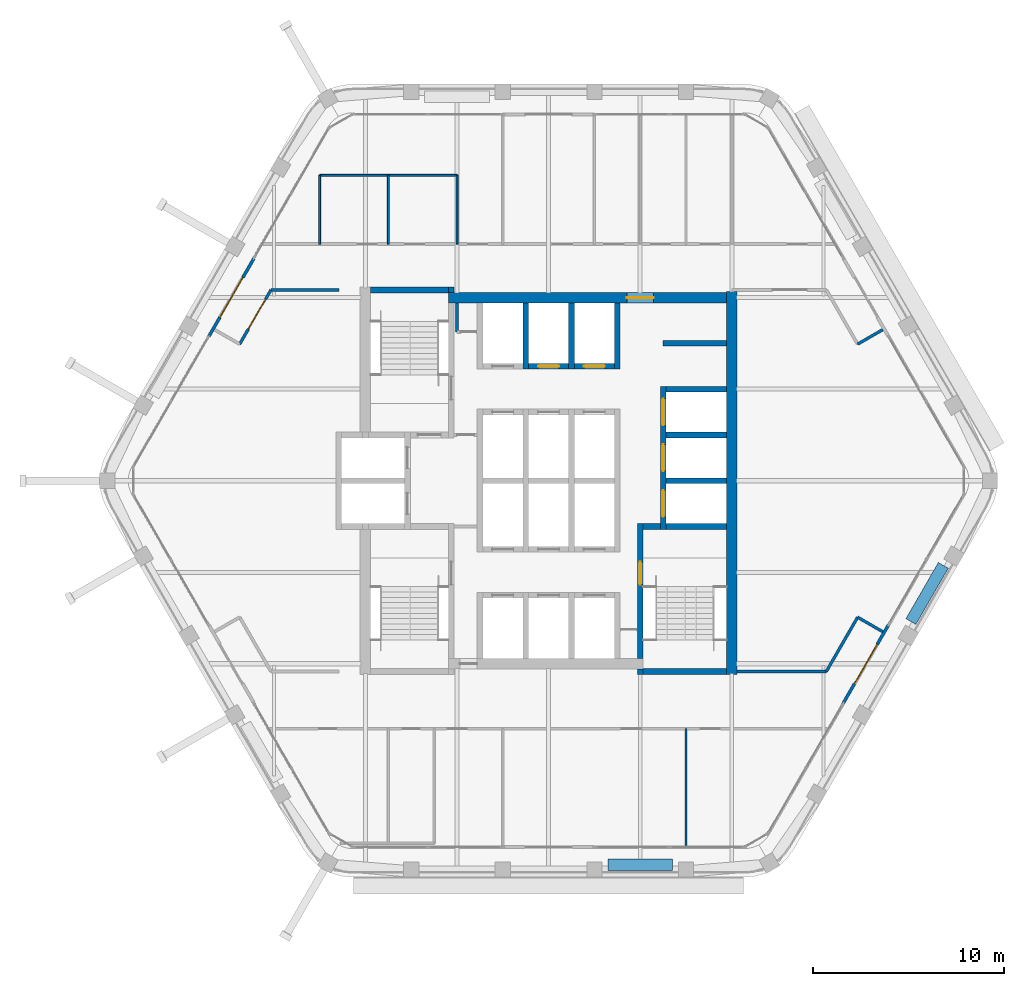
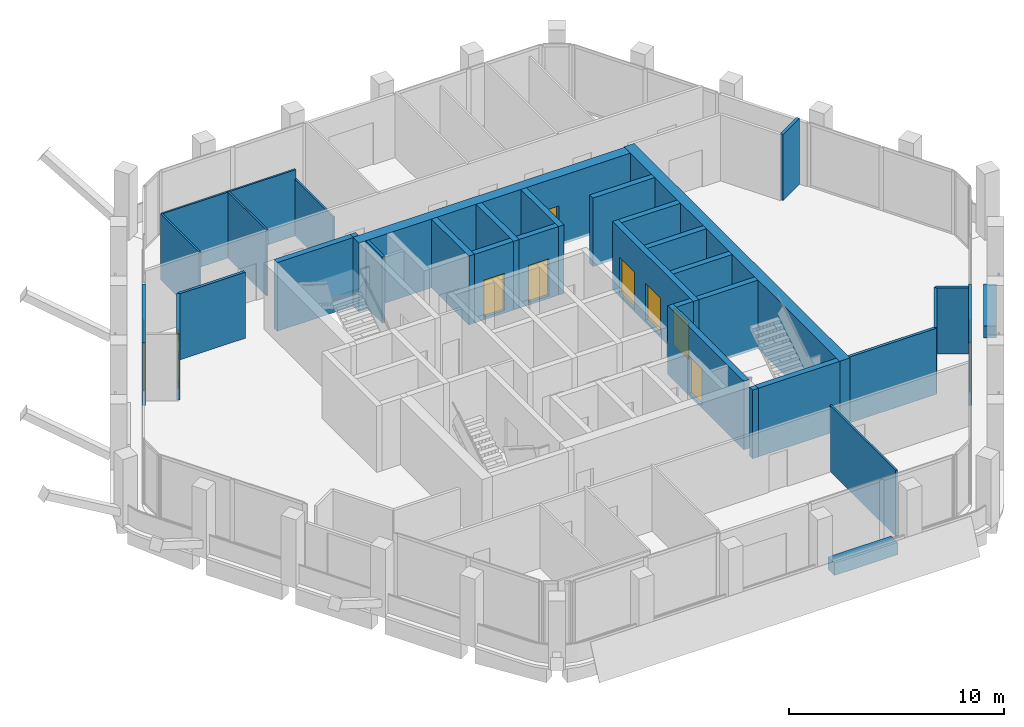
# One storey, part 9 of 14: 35 walls, 10 doors, 10 openings.
"""IFC4 building model written with IfcOpenShell, lengths in metres."""

from ifc_helpers import new_model, si_unit, direction, frame, frame_2d, origin, place, context, subcontext, project, spatial, rectangle, extrude, material, layer, layer_set, type_object, element, fill, save


model = new_model("IFC4")

# Units and contexts
model_context = context("Model", 3, precision=1e-05, world=origin(), true_north=direction((0.0, 1.0)))
body_context = subcontext(model_context, "Body", "Model", "MODEL_VIEW")
ifc_project = project(units=[si_unit("LENGTHUNIT", "METRE"), si_unit("AREAUNIT", "SQUARE_METRE"), si_unit("VOLUMEUNIT", "CUBIC_METRE"), si_unit("PLANEANGLEUNIT", "RADIAN"), si_unit("MASSUNIT", "GRAM", prefix="KILO")], contexts=[model_context])

# Site, building, storey
site_placement = place(None, origin())
site = spatial("IfcSite", under=ifc_project, at=site_placement, CompositionType="ELEMENT")
building_placement = place(site_placement, origin())
building = spatial("IfcBuilding", under=site, at=building_placement, Name="Kolab Exchange Tower", CompositionType="ELEMENT")
storey_placement = place(building_placement, frame((0.0, 0.0, 234.5)))
storey = spatial("IfcBuildingStorey", under=building, at=storey_placement, Name="L51", CompositionType="ELEMENT", Elevation=234.5)

# Wall, opening, door
ifc_material_1 = material(Name="Concrete C50/60", Category="concrete")
ifc_layer_1 = layer(ifc_material_1, 0.550048828125)
ifc_layer_set_1 = layer_set([ifc_layer_1], Name="Concrete C50/60")
wall_type_1 = type_object("IfcWallType", Name="CORE WALL 550 C50/60", PredefinedType="SHEAR", material=ifc_layer_set_1)
wall_1_placement = place(storey_placement, frame((-5.25, 9.60009765625, -0.14990234375), z_axis=(0.0, 0.0, 1.0), x_axis=(1.0, 0.0, 0.0)))
wall_1 = element("IfcWall", 1, at=wall_1_placement, inside=storey, type_object=wall_type_1, Name="wall/L51/core/031", PredefinedType="SHEAR", context=body_context, shape_type="SweptSolid", body=[
    extrude(rectangle(XDim=14.574951171875, YDim=0.550048828125, at=frame_2d((7.28759765625, 0.0))), origin(), (0.0, 0.0, 1.0), 3.89990234375),
])
opening_1_placement = place(wall_1_placement, frame((9.35009765625, 0.0, 0.14990234375)))
opening_1 = element("IfcOpeningElement", 2, at=opening_1_placement, cuts=wall_1, Name="Opening D5-011", PredefinedType="OPENING", context=body_context, shape_type="SweptSolid", body=[
    extrude(rectangle(XDim=1.39990234375, YDim=2.10009765625, at=frame_2d((0.699951171875, 1.050048828125))), frame((0.0, 0.28515625, 0.0), z_axis=(0.0, -1.0, 0.0), x_axis=(1.0, 0.0, 0.0)), (0.0, 0.0, 1.0), 0.570068359375),
])
ifc_material_2 = material(Name="Steel S235", Category="steel")
door_type_1 = type_object("IfcDoorType", Name="CORE DOOR 1400 EI 120", OperationType="DOUBLE_DOOR_SINGLE_SWING", PredefinedType="DOOR", material=ifc_material_2)
door_1_placement = place(opening_1_placement, frame((1.39990234375, 0.0, 0.0), z_axis=(0.0, 0.0, 1.0), x_axis=(-1.0, 0.0, 0.0)))
door_1 = element("IfcDoor", 3, at=door_1_placement, inside=storey, type_object=door_type_1, Name="Core lobby door", OperationType="SINGLE_SWING_LEFT", OverallHeight=2.10009765625, OverallWidth=1.39990234375, PredefinedType="DOOR", context=body_context, shape_type="SweptSolid", body=[
    extrude(rectangle(XDim=1.39990234375, YDim=2.10009765625, at=frame_2d((0.699951171875, 1.050048828125))), frame((0.0, 0.02490234375, 0.0), z_axis=(0.0, -1.0, 0.0), x_axis=(1.0, 0.0, 0.0)), (0.0, 0.0, 1.0), 0.050048828125),
])
fill(opening_1, door_1)

# Wall
wall_2_placement = place(storey_placement, frame((9.60009765625, -10.14990234375, -0.14990234375), z_axis=(0.0, 0.0, 1.0), x_axis=(0.0, 1.0, 0.0)))
element("IfcWall", 4, at=wall_2_placement, inside=storey, type_object=wall_type_1, Name="wall/L51/core/058", PredefinedType="SHEAR", context=body_context, shape_type="SweptSolid", body=[
    extrude(rectangle(XDim=20.074951171875, YDim=0.550048828125, at=frame_2d((10.03759765625, 0.0))), origin(), (0.0, 0.0, 1.0), 3.89990234375),
])

# Wall, opening, door
ifc_material_3 = material(Name="Aluminium EN AW-6063 T6", Category="aluminium")
ifc_layer_2 = layer(ifc_material_3, 0.159912109375)
ifc_layer_set_2 = layer_set([ifc_layer_2], Name="Aluminium EN AW-6063 T6")
wall_type_2 = type_object("IfcWallType", Name="DOOR SURROUND WALL 160 ALUMINIUM FRAMED", PredefinedType="PARTITIONING", material=ifc_layer_set_2)
wall_3_placement = place(storey_placement, frame((17.816650390625, -7.5498046875, 0.0), z_axis=(0.0, 0.0, 1.0), x_axis=(-0.499978080042, -0.866038058908, 0.0)))
wall_3 = element("IfcWall", 5, at=wall_3_placement, inside=storey, type_object=wall_type_2, Name="Door surround wall", PredefinedType="PARTITIONING", context=body_context, shape_type="SweptSolid", body=[
    extrude(rectangle(XDim=4.739990234375, YDim=0.159912109375, at=frame_2d((2.3701171875, 0.0))), origin(), (0.0, 0.0, 1.0), 3.60009765625),
])
opening_2_placement = place(wall_3_placement, frame((1.169921875, 0.0, 0.0)))
opening_2 = element("IfcOpeningElement", 6, at=opening_2_placement, cuts=wall_3, Name="Opening GD1-100", PredefinedType="OPENING", context=body_context, shape_type="SweptSolid", body=[
    extrude(rectangle(XDim=2.39990234375, YDim=2.39990234375, at=frame_2d((1.199951171875, 1.199951171875))), frame((0.0, 0.08984375, 0.0), z_axis=(0.0, -1.0, 0.0), x_axis=(1.0, 0.0, 0.0)), (0.0, 0.0, 1.0), 0.179931640625),
])
door_type_2 = type_object("IfcDoorType", Name="LOGGIA SLIDING GLASS DOOR 2400 X 2400", OperationType="DOUBLE_DOOR_SINGLE_SWING", PredefinedType="DOOR", material=ifc_material_3)
door_2_placement = place(opening_2_placement, origin())
door_2 = element("IfcDoor", 7, at=door_2_placement, inside=storey, type_object=door_type_2, Name="Loggia door", OperationType="DOUBLE_DOOR_SLIDING", OverallHeight=2.39990234375, OverallWidth=2.39990234375, PredefinedType="DOOR", context=body_context, shape_type="SweptSolid", body=[
    extrude(rectangle(XDim=2.39990234375, YDim=2.39990234375, at=frame_2d((1.199951171875, 1.199951171875))), frame((0.0, 0.02490234375, 0.0), z_axis=(0.0, -1.0, 0.0), x_axis=(1.0, 0.0, 0.0)), (0.0, 0.0, 1.0), 0.050048828125),
])
fill(opening_2, door_2)

wall_4_placement = place(storey_placement, frame((-17.816650390625, 7.5498046875, 0.0), z_axis=(0.0, 0.0, 1.0), x_axis=(0.499978080042, 0.866038058908, 0.0)))
wall_4 = element("IfcWall", 8, at=wall_4_placement, inside=storey, type_object=wall_type_2, Name="Door surround wall", PredefinedType="PARTITIONING", context=body_context, shape_type="SweptSolid", body=[
    extrude(rectangle(XDim=4.739990234375, YDim=0.159912109375, at=frame_2d((2.3701171875, 0.0))), origin(), (0.0, 0.0, 1.0), 3.60009765625),
])
opening_3_placement = place(wall_4_placement, frame((1.169921875, 0.0, 0.0)))
opening_3 = element("IfcOpeningElement", 9, at=opening_3_placement, cuts=wall_4, Name="Opening GD1-103", PredefinedType="OPENING", context=body_context, shape_type="SweptSolid", body=[
    extrude(rectangle(XDim=2.39990234375, YDim=2.39990234375, at=frame_2d((1.199951171875, 1.199951171875))), frame((0.0, 0.08984375, 0.0), z_axis=(0.0, -1.0, 0.0), x_axis=(1.0, 0.0, 0.0)), (0.0, 0.0, 1.0), 0.179931640625),
])
door_3_placement = place(opening_3_placement, origin())
door_3 = element("IfcDoor", 10, at=door_3_placement, inside=storey, type_object=door_type_2, Name="Loggia door", OperationType="DOUBLE_DOOR_SLIDING", OverallHeight=2.39990234375, OverallWidth=2.39990234375, PredefinedType="DOOR", context=body_context, shape_type="SweptSolid", body=[
    extrude(rectangle(XDim=2.39990234375, YDim=2.39990234375, at=frame_2d((1.199951171875, 1.199951171875))), frame((0.0, 0.02490234375, 0.0), z_axis=(0.0, -1.0, 0.0), x_axis=(1.0, 0.0, 0.0)), (0.0, 0.0, 1.0), 0.050048828125),
])
fill(opening_3, door_3)

# Walls
ifc_layer_3 = layer(ifc_material_1, 0.300048828125)
ifc_layer_set_3 = layer_set([ifc_layer_3], Name="Concrete C50/60")
wall_type_3 = type_object("IfcWallType", Name="LIFT SHAFT WALL 300 C50/60", PredefinedType="STANDARD", material=ifc_layer_set_3)
for number, where, z_axis, x_axis, name in (
    (11, (6.14990234375, 0.0, -0.14990234375), (0.0, 0.0, 1.0), (1.0, 0.0, 0.0), "wall/L51/core/018"),
    (12, (6.14990234375, 2.39990234375, -0.14990234375), (0.0, 0.0, 1.0), (1.0, 0.0, 0.0), "wall/L51/core/022"),
    (13, (6.14990234375, 4.800048828125, -0.14990234375), (0.0, 0.0, 1.0), (1.0, 0.0, 0.0), "wall/L51/core/026"),
):
    element("IfcWall", number, at=place(storey_placement, frame(where, z_axis=z_axis, x_axis=x_axis)), inside=storey, type_object=wall_type_3, Name=name, PredefinedType="STANDARD", context=body_context, shape_type="SweptSolid", body=[
        extrude(rectangle(XDim=3.175048828125, YDim=0.300048828125, at=frame_2d((1.58740234375, 0.0))), origin(), (0.0, 0.0, 1.0), 3.89990234375),
    ])

# Wall, opening, door
wall_5_placement = place(storey_placement, frame((-1.050048828125, 6.0, -0.14990234375), z_axis=(0.0, 0.0, 1.0), x_axis=(1.0, 0.0, 0.0)))
wall_5 = element("IfcWall", 14, at=wall_5_placement, inside=storey, type_object=wall_type_3, Name="wall/L51/core/028", PredefinedType="STANDARD", context=body_context, shape_type="SweptSolid", body=[
    extrude(rectangle(XDim=2.10009765625, YDim=0.300048828125, at=frame_2d((1.050048828125, 0.0))), origin(), (0.0, 0.0, 1.0), 3.89990234375),
])
opening_4_placement = place(wall_5_placement, frame((0.5, 0.0, 0.14990234375)))
opening_4 = element("IfcOpeningElement", 15, at=opening_4_placement, cuts=wall_5, Name="Opening LD1-113", PredefinedType="OPENING", context=body_context, shape_type="SweptSolid", body=[
    extrude(rectangle(XDim=1.10009765625, YDim=2.10009765625, at=frame_2d((0.550048828125, 1.050048828125))), frame((0.0, 0.16015625, 0.0), z_axis=(0.0, -1.0, 0.0), x_axis=(1.0, 0.0, 0.0)), (0.0, 0.0, 1.0), 0.320068359375),
])
ifc_material_4 = material(Name="Stainless steel 316", Category="steel")
door_type_3 = type_object("IfcDoorType", Name="LANDING DOOR 1100 PASSENGER", OperationType="DOUBLE_DOOR_SLIDING", PredefinedType="DOOR", material=ifc_material_4)
door_4_placement = place(opening_4_placement, origin())
door_4 = element("IfcDoor", 16, at=door_4_placement, inside=storey, type_object=door_type_3, Name="Landing door HR2", OperationType="DOUBLE_DOOR_SLIDING", OverallHeight=2.10009765625, OverallWidth=1.10009765625, PredefinedType="DOOR", context=body_context, shape_type="SweptSolid", body=[
    extrude(rectangle(XDim=1.10009765625, YDim=2.10009765625, at=frame_2d((0.550048828125, 1.050048828125))), frame((0.0, 0.02490234375, 0.0), z_axis=(0.0, -1.0, 0.0), x_axis=(1.0, 0.0, 0.0)), (0.0, 0.0, 1.0), 0.050048828125),
])
fill(opening_4, door_4)

wall_6_placement = place(storey_placement, frame((1.35009765625, 6.0, -0.14990234375), z_axis=(0.0, 0.0, 1.0), x_axis=(1.0, 0.0, 0.0)))
wall_6 = element("IfcWall", 17, at=wall_6_placement, inside=storey, type_object=wall_type_3, Name="wall/L51/core/029", PredefinedType="STANDARD", context=body_context, shape_type="SweptSolid", body=[
    extrude(rectangle(XDim=2.099853515625, YDim=0.300048828125, at=frame_2d((1.0498046875, 0.0))), origin(), (0.0, 0.0, 1.0), 3.89990234375),
])
opening_5_placement = place(wall_6_placement, frame((0.5, 0.0, 0.14990234375)))
opening_5 = element("IfcOpeningElement", 18, at=opening_5_placement, cuts=wall_6, Name="Opening LD1-114", PredefinedType="OPENING", context=body_context, shape_type="SweptSolid", body=[
    extrude(rectangle(XDim=1.10009765625, YDim=2.10009765625, at=frame_2d((0.550048828125, 1.050048828125))), frame((0.0, 0.16015625, 0.0), z_axis=(0.0, -1.0, 0.0), x_axis=(1.0, 0.0, 0.0)), (0.0, 0.0, 1.0), 0.320068359375),
])
door_5_placement = place(opening_5_placement, origin())
door_5 = element("IfcDoor", 19, at=door_5_placement, inside=storey, type_object=door_type_3, Name="Landing door HR3", OperationType="DOUBLE_DOOR_SLIDING", OverallHeight=2.10009765625, OverallWidth=1.10009765625, PredefinedType="DOOR", context=body_context, shape_type="SweptSolid", body=[
    extrude(rectangle(XDim=1.10009765625, YDim=2.10009765625, at=frame_2d((0.550048828125, 1.050048828125))), frame((0.0, 0.02490234375, 0.0), z_axis=(0.0, -1.0, 0.0), x_axis=(1.0, 0.0, 0.0)), (0.0, 0.0, 1.0), 0.050048828125),
])
fill(opening_5, door_5)

# Walls
wall_7_placement = place(storey_placement, frame((6.0, 7.199951171875, -0.14990234375), z_axis=(0.0, 0.0, 1.0), x_axis=(1.0, 0.0, 0.0)))
element("IfcWall", 20, at=wall_7_placement, inside=storey, type_object=wall_type_3, Name="wall/L51/core/030", PredefinedType="STANDARD", context=body_context, shape_type="SweptSolid", body=[
    extrude(rectangle(XDim=3.324951171875, YDim=0.300048828125, at=frame_2d((1.66259765625, 0.0))), origin(), (0.0, 0.0, 1.0), 3.89990234375),
])
for number, where, z_axis, x_axis, name in (
    (21, (-1.199951171875, 5.85009765625, -0.14990234375), (0.0, 0.0, 1.0), (0.0, 1.0, 0.0), "wall/L51/core/048"),
    (22, (1.199951171875, 5.85009765625, -0.14990234375), (0.0, 0.0, 1.0), (0.0, 1.0, 0.0), "wall/L51/core/051"),
    (23, (3.60009765625, 5.85009765625, -0.14990234375), (0.0, 0.0, 1.0), (0.0, 1.0, 0.0), "wall/L51/core/054"),
):
    element("IfcWall", number, at=place(storey_placement, frame(where, z_axis=z_axis, x_axis=x_axis)), inside=storey, type_object=wall_type_3, Name=name, PredefinedType="STANDARD", context=body_context, shape_type="SweptSolid", body=[
        extrude(rectangle(XDim=3.474853515625, YDim=0.300048828125, at=frame_2d((1.7373046875, 0.0))), origin(), (0.0, 0.0, 1.0), 3.89990234375),
    ])

# Wall, openings, doors
wall_8_placement = place(storey_placement, frame((6.0, -2.550048828125, -0.14990234375), z_axis=(0.0, 0.0, 1.0), x_axis=(0.0, 1.0, 0.0)))
wall_8 = element("IfcWall", 24, at=wall_8_placement, inside=storey, type_object=wall_type_3, Name="wall/L51/core/057", PredefinedType="STANDARD", context=body_context, shape_type="SweptSolid", body=[
    extrude(rectangle(XDim=7.5, YDim=0.300048828125, at=frame_2d((3.75, 0.0))), origin(), (0.0, 0.0, 1.0), 3.89990234375),
])
opening_6_placement = place(wall_8_placement, frame((0.64990234375, 0.0, 0.14990234375)))
opening_6 = element("IfcOpeningElement", 25, at=opening_6_placement, cuts=wall_8, Name="Opening LD3-037", PredefinedType="OPENING", context=body_context, shape_type="SweptSolid", body=[
    extrude(rectangle(XDim=1.39990234375, YDim=2.10009765625, at=frame_2d((0.699951171875, 1.050048828125))), frame((0.0, 0.16015625, 0.0), z_axis=(0.0, -1.0, 0.0), x_axis=(1.0, 0.0, 0.0)), (0.0, 0.0, 1.0), 0.320068359375),
])
opening_7_placement = place(wall_8_placement, frame((3.050048828125, 0.0, 0.14990234375)))
opening_7 = element("IfcOpeningElement", 26, at=opening_7_placement, cuts=wall_8, Name="Opening LD3-038", PredefinedType="OPENING", context=body_context, shape_type="SweptSolid", body=[
    extrude(rectangle(XDim=1.39990234375, YDim=2.10009765625, at=frame_2d((0.699951171875, 1.050048828125))), frame((0.0, 0.16015625, 0.0), z_axis=(0.0, -1.0, 0.0), x_axis=(1.0, 0.0, 0.0)), (0.0, 0.0, 1.0), 0.320068359375),
])
opening_8_placement = place(wall_8_placement, frame((5.449951171875, 0.0, 0.14990234375)))
opening_8 = element("IfcOpeningElement", 27, at=opening_8_placement, cuts=wall_8, Name="Opening LD3-039", PredefinedType="OPENING", context=body_context, shape_type="SweptSolid", body=[
    extrude(rectangle(XDim=1.39990234375, YDim=2.10009765625, at=frame_2d((0.699951171875, 1.050048828125))), frame((0.0, 0.16015625, 0.0), z_axis=(0.0, -1.0, 0.0), x_axis=(1.0, 0.0, 0.0)), (0.0, 0.0, 1.0), 0.320068359375),
])
door_type_4 = type_object("IfcDoorType", Name="LANDING DOOR 1400 SERVICE", OperationType="DOUBLE_DOOR_SLIDING", PredefinedType="DOOR", material=ifc_material_4)
door_6_placement = place(opening_6_placement, origin())
door_6 = element("IfcDoor", 28, at=door_6_placement, inside=storey, type_object=door_type_4, Name="Landing door SV1", OperationType="DOUBLE_DOOR_SLIDING", OverallHeight=2.10009765625, OverallWidth=1.39990234375, PredefinedType="DOOR", context=body_context, shape_type="SweptSolid", body=[
    extrude(rectangle(XDim=1.39990234375, YDim=2.10009765625, at=frame_2d((0.699951171875, 1.050048828125))), frame((0.0, 0.02490234375, 0.0), z_axis=(0.0, -1.0, 0.0), x_axis=(1.0, 0.0, 0.0)), (0.0, 0.0, 1.0), 0.050048828125),
])
fill(opening_6, door_6)
door_7_placement = place(opening_7_placement, origin())
door_7 = element("IfcDoor", 29, at=door_7_placement, inside=storey, type_object=door_type_4, Name="Landing door SV2", OperationType="DOUBLE_DOOR_SLIDING", OverallHeight=2.10009765625, OverallWidth=1.39990234375, PredefinedType="DOOR", context=body_context, shape_type="SweptSolid", body=[
    extrude(rectangle(XDim=1.39990234375, YDim=2.10009765625, at=frame_2d((0.699951171875, 1.050048828125))), frame((0.0, 0.02490234375, 0.0), z_axis=(0.0, -1.0, 0.0), x_axis=(1.0, 0.0, 0.0)), (0.0, 0.0, 1.0), 0.050048828125),
])
fill(opening_7, door_7)
door_8_placement = place(opening_8_placement, origin())
door_8 = element("IfcDoor", 30, at=door_8_placement, inside=storey, type_object=door_type_4, Name="Landing door SV3", OperationType="DOUBLE_DOOR_SLIDING", OverallHeight=2.10009765625, OverallWidth=1.39990234375, PredefinedType="DOOR", context=body_context, shape_type="SweptSolid", body=[
    extrude(rectangle(XDim=1.39990234375, YDim=2.10009765625, at=frame_2d((0.699951171875, 1.050048828125))), frame((0.0, 0.02490234375, 0.0), z_axis=(0.0, -1.0, 0.0), x_axis=(1.0, 0.0, 0.0)), (0.0, 0.0, 1.0), 0.050048828125),
])
fill(opening_8, door_8)

# Walls
ifc_material_5 = material(Name="Gypsum board", Category="gypsum")
ifc_layer_4 = layer(ifc_material_5, 0.10009765625)
ifc_layer_set_4 = layer_set([ifc_layer_4], Name="Gypsum board")
wall_type_4 = type_object("IfcWallType", Name="PARTITION 100", PredefinedType="PARTITIONING", material=ifc_layer_set_4)
wall_9_placement = place(storey_placement, frame((7.199951171875, -19.114501953125, 0.0), z_axis=(0.0, 0.0, 1.0), x_axis=(0.0, 1.0, 0.0)))
element("IfcWall", 31, at=wall_9_placement, inside=storey, type_object=wall_type_4, Name="Partition 001", PredefinedType="PARTITIONING", context=body_context, shape_type="SweptSolid", body=[
    extrude(rectangle(XDim=6.114501953125, YDim=0.10009765625, at=frame_2d((3.05712890625, 0.0))), origin(), (0.0, 0.0, 1.0), 3.75),
])
wall_10_placement = place(storey_placement, frame((-4.800048828125, 12.39990234375, 0.0), z_axis=(0.0, 0.0, 1.0), x_axis=(0.0, 1.0, 0.0)))
element("IfcWall", 32, at=wall_10_placement, inside=storey, type_object=wall_type_4, Name="Partition 007", PredefinedType="PARTITIONING", context=body_context, shape_type="SweptSolid", body=[
    extrude(rectangle(XDim=3.60009765625, YDim=0.10009765625, at=frame_2d((1.800048828125, 0.0))), origin(), (0.0, 0.0, 1.0), 3.217041015625),
])
for number, where, z_axis, x_axis, name in (
    (33, (-8.39990234375, 12.39990234375, 0.0), (0.0, 0.0, 1.0), (0.0, 1.0, 0.0), "Partition 011"),
    (34, (-12.0, 12.39990234375, 0.0), (0.0, 0.0, 1.0), (0.0, 1.0, 0.0), "Partition 012"),
):
    element("IfcWall", number, at=place(storey_placement, frame(where, z_axis=z_axis, x_axis=x_axis)), inside=storey, type_object=wall_type_4, Name=name, PredefinedType="PARTITIONING", context=body_context, shape_type="SweptSolid", body=[
        extrude(rectangle(XDim=3.60009765625, YDim=0.10009765625, at=frame_2d((1.800048828125, 0.0))), origin(), (0.0, 0.0, 1.0), 3.75),
    ])
wall_11_placement = place(storey_placement, frame((-12.0, 16.0, 0.0), z_axis=(0.0, 0.0, 1.0), x_axis=(1.0, 0.0, 0.0)))
element("IfcWall", 35, at=wall_11_placement, inside=storey, type_object=wall_type_4, Name="Partition 030", PredefinedType="PARTITIONING", context=body_context, shape_type="SweptSolid", body=[
    extrude(rectangle(XDim=7.199951171875, YDim=0.10009765625, at=frame_2d((3.60009765625, 0.0))), origin(), (0.0, 0.0, 1.0), 3.75),
])
ifc_layer_5 = layer(ifc_material_5, 0.14990234375)
ifc_layer_set_5 = layer_set([ifc_layer_5], Name="Gypsum board")
wall_type_5 = type_object("IfcWallType", Name="PARTITION 150 FIRE-RATED", PredefinedType="PARTITIONING", material=ifc_layer_set_5)
wall_12_placement = place(storey_placement, frame((-4.800048828125, 7.800048828125, 0.0), z_axis=(0.0, 0.0, 1.0), x_axis=(0.0, 1.0, 0.0)))
element("IfcWall", 36, at=wall_12_placement, inside=storey, type_object=wall_type_5, Name="Partition 008", PredefinedType="PARTITIONING", context=body_context, shape_type="SweptSolid", body=[
    extrude(rectangle(XDim=1.52490234375, YDim=0.14990234375, at=frame_2d((0.762451171875, 0.0))), origin(), (0.0, 0.0, 1.0), 3.75),
])
wall_13_placement = place(storey_placement, frame((14.5546875, -10.0, 0.0), z_axis=(0.0, 0.0, 1.0), x_axis=(0.499954196102, 0.866051847062, 0.0)))
element("IfcWall", 37, at=wall_13_placement, inside=storey, type_object=wall_type_5, Name="Partition 015", PredefinedType="PARTITIONING", context=body_context, shape_type="SweptSolid", body=[
    extrude(rectangle(XDim=3.282958984375, YDim=0.14990234375, at=frame_2d((1.6416015625, 0.0))), origin(), (0.0, 0.0, 1.0), 3.75),
])

# Wall, opening, door
wall_14_placement = place(storey_placement, frame((-16.196044921875, 7.15673828125, 0.0), z_axis=(0.0, 0.0, 1.0), x_axis=(0.499954196102, 0.866051847062, 0.0)))
wall_14 = element("IfcWall", 38, at=wall_14_placement, inside=storey, type_object=wall_type_5, Name="Partition 016", PredefinedType="PARTITIONING", context=body_context, shape_type="SweptSolid", body=[
    extrude(rectangle(XDim=3.282958984375, YDim=0.14990234375, at=frame_2d((1.6416015625, 0.0))), origin(), (0.0, 0.0, 1.0), 3.75),
])
opening_9_placement = place(wall_14_placement, frame((0.9140625, 0.0, 0.0)))
opening_9 = element("IfcOpeningElement", 39, at=opening_9_placement, cuts=wall_14, Name="Opening D2-068", PredefinedType="OPENING", context=body_context, shape_type="SweptSolid", body=[
    extrude(rectangle(XDim=1.800048828125, YDim=2.10009765625, at=frame_2d((0.89990234375, 1.050048828125))), frame((0.0, 0.0849609375, 0.0), z_axis=(0.0, -1.0, 0.0), x_axis=(1.0, 0.0, 0.0)), (0.0, 0.0, 1.0), 0.169921875),
])
door_type_5 = type_object("IfcDoorType", Name="DOUBLE DOOR 1800 FD60", OperationType="DOUBLE_DOOR_SINGLE_SWING", PredefinedType="DOOR", material=ifc_material_2)
door_9_placement = place(opening_9_placement, frame((1.800048828125, 0.0, 0.0), z_axis=(0.0, 0.0, 1.0), x_axis=(-1.0, 0.0, 0.0)))
door_9 = element("IfcDoor", 40, at=door_9_placement, inside=storey, type_object=door_type_5, Name="Door L51-043", OperationType="SINGLE_SWING_RIGHT", OverallHeight=2.10009765625, OverallWidth=1.800048828125, PredefinedType="DOOR", context=body_context, shape_type="SweptSolid", body=[
    extrude(rectangle(XDim=1.800048828125, YDim=2.10009765625, at=frame_2d((0.89990234375, 1.050048828125))), frame((0.0, 0.02490234375, 0.0), z_axis=(0.0, -1.0, 0.0), x_axis=(1.0, 0.0, 0.0)), (0.0, 0.0, 1.0), 0.050048828125),
])
fill(opening_9, door_9)

# Walls
for number, where, z_axis, x_axis, name in (
    (41, (16.196044921875, -7.15673828125, 0.0), (0.0, 0.0, 1.0), (0.865960906633, -0.500111695708, 0.0), "Partition 018"),
    (42, (16.196044921875, 7.15673828125, 0.0), (0.0, 0.0, 1.0), (0.865960906633, 0.500111695708, 0.0), "Partition 019"),
):
    element("IfcWall", number, at=place(storey_placement, frame(where, z_axis=z_axis, x_axis=x_axis)), inside=storey, type_object=wall_type_5, Name=name, PredefinedType="PARTITIONING", context=body_context, shape_type="SweptSolid", body=[
        extrude(rectangle(XDim=1.520263671875, YDim=0.14990234375, at=frame_2d((0.76025390625, 0.0))), origin(), (0.0, 0.0, 1.0), 3.75),
    ])
wall_15_placement = place(storey_placement, frame((9.875, -10.0, 0.0), z_axis=(0.0, 0.0, 1.0), x_axis=(1.0, 0.0, 0.0)))
element("IfcWall", 43, at=wall_15_placement, inside=storey, type_object=wall_type_5, Name="Partition 024", PredefinedType="PARTITIONING", context=body_context, shape_type="SweptSolid", body=[
    extrude(rectangle(XDim=4.6796875, YDim=0.14990234375, at=frame_2d((2.33984375, 0.0))), origin(), (0.0, 0.0, 1.0), 3.75),
])
wall_16_placement = place(storey_placement, frame((-14.5546875, 10.0, 0.0), z_axis=(0.0, 0.0, 1.0), x_axis=(1.0, 0.0, 0.0)))
element("IfcWall", 44, at=wall_16_placement, inside=storey, type_object=wall_type_5, Name="Partition 027", PredefinedType="PARTITIONING", context=body_context, shape_type="SweptSolid", body=[
    extrude(rectangle(XDim=3.5546875, YDim=0.14990234375, at=frame_2d((1.77734375, 0.0))), origin(), (0.0, 0.0, 1.0), 3.75),
])
ifc_material_6 = material(Name="Granite facing", Category="masonry")
ifc_layer_6 = layer(ifc_material_6, 0.0400390625)
ifc_material_7 = material(Name="Concrete C40/50 precast", Category="concrete")
ifc_layer_7 = layer(ifc_material_7, 0.56005859375)
ifc_layer_set_6 = layer_set([ifc_layer_6, ifc_layer_7], Name="Concrete C40/50 precast")
wall_type_6 = type_object("IfcWallType", Name="PLANTER BOX 600 X 700 SOIL DEPTH 550", PredefinedType="USERDEFINED", material=ifc_layer_set_6)
for number, where, z_axis, x_axis, name in (
    (45, (20.68701171875, -4.438232421875, 0.0), (0.0, 0.0, 1.0), (-0.500008388397, -0.866020560687, 0.0), "Planter"),
    (46, (6.5, -20.134521484375, 0.0), (0.0, 0.0, 1.0), (-1.0, 0.0, 0.0), "Planter"),
):
    element("IfcWall", number, at=place(storey_placement, frame(where, z_axis=z_axis, x_axis=x_axis)), inside=storey, type_object=wall_type_6, Name=name, ObjectType="PLANTER", PredefinedType="USERDEFINED", context=body_context, shape_type="SweptSolid", body=[
        extrude(rectangle(XDim=3.39990234375, YDim=0.60009765625, at=frame_2d((1.699951171875, 0.0))), origin(), (0.0, 0.0, 1.0), 0.699951171875),
    ])
ifc_layer_8 = layer(ifc_material_1, 0.300048828125)
ifc_layer_set_7 = layer_set([ifc_layer_8], Name="Concrete C50/60")
wall_type_7 = type_object("IfcWallType", Name="STAIR ENCLOSURE WALL 300 C50/60", PredefinedType="STANDARD", material=ifc_layer_set_7)
wall_17_placement = place(storey_placement, frame((4.949951171875, -10.0, -0.14990234375), z_axis=(0.0, 0.0, 1.0), x_axis=(1.0, 0.0, 0.0)))
element("IfcWall", 47, at=wall_17_placement, inside=storey, type_object=wall_type_7, Name="wall/L51/core/001", PredefinedType="STANDARD", context=body_context, shape_type="SweptSolid", body=[
    extrude(rectangle(XDim=4.375, YDim=0.300048828125, at=frame_2d((2.1875, 0.0))), origin(), (0.0, 0.0, 1.0), 3.89990234375),
])
wall_18_placement = place(storey_placement, frame((4.949951171875, -2.39990234375, -0.14990234375), z_axis=(0.0, 0.0, 1.0), x_axis=(1.0, 0.0, 0.0)))
element("IfcWall", 48, at=wall_18_placement, inside=storey, type_object=wall_type_7, Name="wall/L51/core/012", PredefinedType="STANDARD", context=body_context, shape_type="SweptSolid", body=[
    extrude(rectangle(XDim=0.900146484375, YDim=0.300048828125, at=frame_2d((0.4501953125, 0.0))), origin(), (0.0, 0.0, 1.0), 3.89990234375),
])
wall_19_placement = place(storey_placement, frame((6.14990234375, -2.39990234375, -0.14990234375), z_axis=(0.0, 0.0, 1.0), x_axis=(1.0, 0.0, 0.0)))
element("IfcWall", 49, at=wall_19_placement, inside=storey, type_object=wall_type_7, Name="wall/L51/core/013", PredefinedType="STANDARD", context=body_context, shape_type="SweptSolid", body=[
    extrude(rectangle(XDim=3.175048828125, YDim=0.300048828125, at=frame_2d((1.58740234375, 0.0))), origin(), (0.0, 0.0, 1.0), 3.89990234375),
])
wall_20_placement = place(storey_placement, frame((-9.324951171875, 10.0, -0.14990234375), z_axis=(0.0, 0.0, 1.0), x_axis=(1.0, 0.0, 0.0)))
element("IfcWall", 50, at=wall_20_placement, inside=storey, type_object=wall_type_7, Name="wall/L51/core/032", PredefinedType="STANDARD", context=body_context, shape_type="SweptSolid", body=[
    extrude(rectangle(XDim=4.074951171875, YDim=0.300048828125, at=frame_2d((2.03759765625, 0.0))), origin(), (0.0, 0.0, 1.0), 3.89990234375),
])
for number, where, z_axis, x_axis, name in (
    (51, (-5.10009765625, 9.875, -0.14990234375), (0.0, 0.0, 1.0), (0.0, 1.0, 0.0), "wall/L51/core/042"),
    (52, (4.800048828125, -10.14990234375, -0.14990234375), (0.0, 0.0, 1.0), (0.0, 1.0, 0.0), "wall/L51/core/055"),
):
    element("IfcWall", number, at=place(storey_placement, frame(where, z_axis=z_axis, x_axis=x_axis)), inside=storey, type_object=wall_type_7, Name=name, PredefinedType="STANDARD", context=body_context, shape_type="SweptSolid", body=[
        extrude(rectangle(XDim=0.27490234375, YDim=0.300048828125, at=frame_2d((0.137451171875, 0.0))), origin(), (0.0, 0.0, 1.0), 3.89990234375),
    ])

# Wall, opening, door
wall_21_placement = place(storey_placement, frame((4.800048828125, -9.324951171875, -0.14990234375), z_axis=(0.0, 0.0, 1.0), x_axis=(0.0, 1.0, 0.0)))
wall_21 = element("IfcWall", 53, at=wall_21_placement, inside=storey, type_object=wall_type_7, Name="wall/L51/core/056", PredefinedType="STANDARD", context=body_context, shape_type="SweptSolid", body=[
    extrude(rectangle(XDim=7.074951171875, YDim=0.300048828125, at=frame_2d((3.53759765625, 0.0))), origin(), (0.0, 0.0, 1.0), 3.89990234375),
])
opening_10_placement = place(wall_21_placement, frame((3.875, 0.0, 0.14990234375)))
opening_10 = element("IfcOpeningElement", 54, at=opening_10_placement, cuts=wall_21, Name="Opening D4-077", PredefinedType="OPENING", context=body_context, shape_type="SweptSolid", body=[
    extrude(rectangle(XDim=1.199951171875, YDim=2.10009765625, at=frame_2d((0.60009765625, 1.050048828125))), frame((0.0, 0.16015625, 0.0), z_axis=(0.0, -1.0, 0.0), x_axis=(1.0, 0.0, 0.0)), (0.0, 0.0, 1.0), 0.320068359375),
])
door_type_6 = type_object("IfcDoorType", Name="STAIR DOOR 1200 EI 120", OperationType="SINGLE_SWING_LEFT", PredefinedType="DOOR", material=ifc_material_2)
door_10_placement = place(opening_10_placement, frame((1.199951171875, 0.0, 0.0), z_axis=(0.0, 0.0, 1.0), x_axis=(-1.0, 0.0, 0.0)))
door_10 = element("IfcDoor", 55, at=door_10_placement, inside=storey, type_object=door_type_6, Name="Stair 2 door", OperationType="SINGLE_SWING_RIGHT", OverallHeight=2.10009765625, OverallWidth=1.199951171875, PredefinedType="DOOR", context=body_context, shape_type="SweptSolid", body=[
    extrude(rectangle(XDim=1.199951171875, YDim=2.10009765625, at=frame_2d((0.60009765625, 1.050048828125))), frame((0.0, 0.02490234375, 0.0), z_axis=(0.0, -1.0, 0.0), x_axis=(1.0, 0.0, 0.0)), (0.0, 0.0, 1.0), 0.050048828125),
])
fill(opening_10, door_10)

save(model, "model.ifc")
